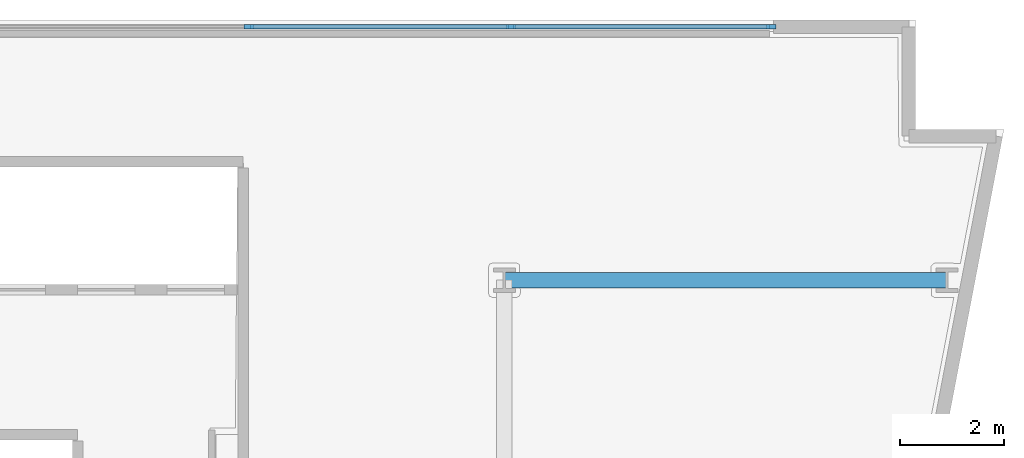
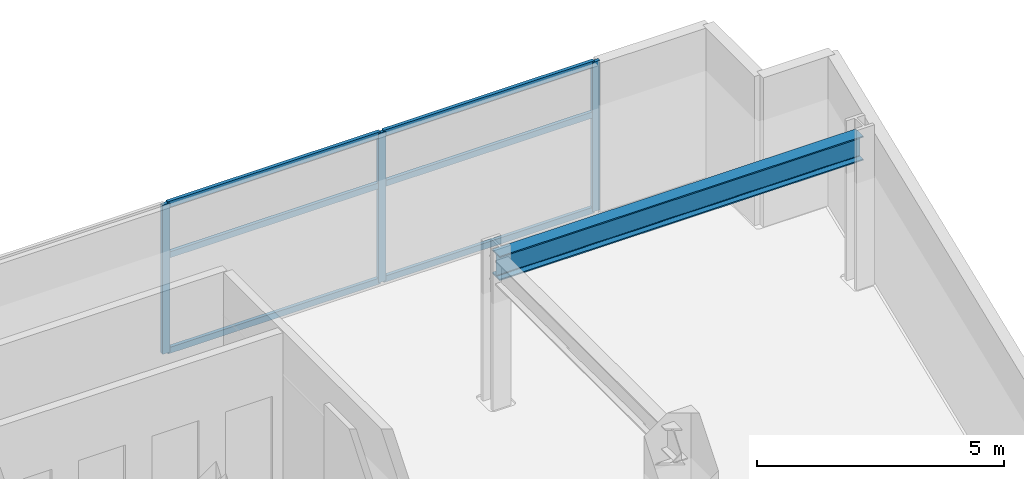
# One storey, part 4 of 13: 9 members, 1 beam, 1 element without a shape of its own.
"""IFC4 building model written with IfcOpenShell, lengths in metres."""

import ifcopenshell
import ifcopenshell.guid

model = None  # the IFC model being written
_history = None  # IfcOwnerHistory: only IFC2X3 demands one
_inside = {}  # id of a spatial element -> (the spatial element, [elements in it])
_under = {}  # id of a project, library or spatial element -> (it, [spatial elements below it])
_declared = {}  # id of a project -> (the project, [libraries it declares])
_typed = {}  # id of a type object -> (the type object, [elements of that type])
_made_of = {}  # id of a material, layer set ... -> (it, [elements and type objects made of it])


def new_model(schema):
    """Start an empty IFC model of exactly this schema.

    Asked for "IFC4X3", IfcOpenShell would pick the latest addendum, in which some entities
    have other attributes; the version numbers below select the first issue.
    IFC2X3 requires an IfcOwnerHistory on every rooted entity: one is made here for all.
    """
    global model, _history
    if schema == "IFC4X3":
        model = ifcopenshell.file(schema_version=(4, 3, 0, 0))
    else:
        model = ifcopenshell.file(schema=schema)
    _inside.clear()
    _under.clear()
    _declared.clear()
    _typed.clear()
    _made_of.clear()
    _history = None
    if model.schema == "IFC2X3":
        org = make("IfcOrganization", Name="unknown")
        user = make(
            "IfcPersonAndOrganization",
            ThePerson=make("IfcPerson", FamilyName="unknown"),
            TheOrganization=org,
        )
        app = make(
            "IfcApplication",
            ApplicationDeveloper=org,
            Version="unknown",
            ApplicationFullName="unknown",
            ApplicationIdentifier="unknown",
        )
        _history = make(
            "IfcOwnerHistory",
            OwningUser=user,
            OwningApplication=app,
            ChangeAction="ADDED",
            CreationDate=0,
        )
    return model


def make(cls, **values):
    """One entity of the class cls with the attributes given. An attribute that is None is left unset."""
    return model.create_entity(
        cls, **{name: value for name, value in values.items() if value is not None}
    )


def rooted(cls, **values):
    """An entity with a GlobalId (a new one), such as an element, a storey or a relation."""
    return make(cls, GlobalId=ifcopenshell.guid.new(), OwnerHistory=_history, **values)


def si_unit(unit_type, name, prefix=None):
    """IfcSIUnit, for example si_unit("LENGTHUNIT", "METRE", prefix="MILLI")."""
    return make("IfcSIUnit", UnitType=unit_type, Prefix=prefix, Name=name)


def assignment(units):
    """IfcUnitAssignment: the units of a project."""
    return None if units is None else make("IfcUnitAssignment", Units=units)


def point(xyz):
    """IfcCartesianPoint."""
    return None if xyz is None else make("IfcCartesianPoint", Coordinates=xyz)


def direction(xyz):
    """IfcDirection."""
    return None if xyz is None else make("IfcDirection", DirectionRatios=xyz)


def frame(location, z_axis=None, x_axis=None):
    """IfcAxis2Placement3D, a coordinate frame: its origin and axes. An axis left out is left unset."""
    return make(
        "IfcAxis2Placement3D",
        Location=point(location),
        Axis=direction(z_axis),
        RefDirection=direction(x_axis),
    )


def frame_2d(location, x_axis=None):
    """IfcAxis2Placement2D, a coordinate frame in the plane: its origin and x axis."""
    return make(
        "IfcAxis2Placement2D", Location=point(location), RefDirection=direction(x_axis)
    )


def origin():
    """The frame at (0, 0, 0) with its axes left unset."""
    return frame((0.0, 0.0, 0.0))


def origin_2d():
    """The frame at (0, 0) in the plane with its x axis left unset."""
    return frame_2d((0.0, 0.0))


def place(relative_to, where):
    """IfcLocalPlacement: puts the frame where relative to a parent placement (None: the world)."""
    return make(
        "IfcLocalPlacement", PlacementRelTo=relative_to, RelativePlacement=where
    )


def context(
    kind, dimensions, precision=None, world=None, true_north=None, identifier=None
):
    """IfcGeometricRepresentationContext, for example the 3D "Model" context."""
    return make(
        "IfcGeometricRepresentationContext",
        ContextIdentifier=identifier,
        ContextType=kind,
        CoordinateSpaceDimension=dimensions,
        Precision=precision,
        WorldCoordinateSystem=world,
        TrueNorth=true_north,
    )


def subcontext(parent, identifier, kind, view, scale=None):
    """IfcGeometricRepresentationSubContext, for example "Body" below "Model"."""
    return make(
        "IfcGeometricRepresentationSubContext",
        ContextIdentifier=identifier,
        ContextType=kind,
        ParentContext=parent,
        TargetScale=scale,
        TargetView=view,
    )


def project(units=None, contexts=None):
    """IfcProject with its units and contexts."""
    return rooted(
        "IfcProject",
        Name="project",
        RepresentationContexts=contexts,
        UnitsInContext=assignment(units),
    )


def spatial(cls, under=None, at=None, **own):
    """A site, building, storey or space (cls), placed at a placement, below another one or the project."""
    s = rooted(cls, ObjectPlacement=at, **own)
    if under is not None:
        _under.setdefault(under.id(), (under, []))[1].append(s)
    return s


def profile(cls, at=None, kind="AREA", **sizes):
    """A parametric profile (cls). Its sizes go by their IFC names, for example OverallWidth=200.0."""
    return make(cls, ProfileType=kind, Position=at, **sizes)


def rectangle(**sizes):
    """IfcRectangleProfileDef."""
    return profile("IfcRectangleProfileDef", **sizes)


def i_section(**sizes):
    """IfcIShapeProfileDef."""
    return profile("IfcIShapeProfileDef", **sizes)


def extrude(swept, where, along, depth):
    """IfcExtrudedAreaSolid: the profile swept, set in the frame where, extruded along a direction by depth."""
    return make(
        "IfcExtrudedAreaSolid",
        SweptArea=swept,
        Position=where,
        ExtrudedDirection=direction(along),
        Depth=depth,
    )


def shape(context_of_items, identifier, shape_type, items):
    """IfcShapeRepresentation: the items that make up one representation, for example the "Body"."""
    return make(
        "IfcShapeRepresentation",
        ContextOfItems=context_of_items,
        RepresentationIdentifier=identifier,
        RepresentationType=shape_type,
        Items=items,
    )


def material(Name=None, Category=None):
    """IfcMaterial."""
    return make("IfcMaterial", Name=Name, Category=Category)


def layer(
    of_material, thickness, ventilated=None, Name=None, Category=None, Priority=None
):
    """IfcMaterialLayer: one layer of a wall or slab, of a material (None: an air gap)."""
    return make(
        "IfcMaterialLayer",
        Material=of_material,
        LayerThickness=thickness,
        IsVentilated=ventilated,
        Name=Name,
        Category=Category,
        Priority=Priority,
    )


def layer_set(layers, Name=None):
    """IfcMaterialLayerSet."""
    return make("IfcMaterialLayerSet", MaterialLayers=layers, LayerSetName=Name)


def material_profile(
    of_material, cross_section, Name=None, Category=None, Priority=None
):
    """IfcMaterialProfile: a cross section and its material."""
    return make(
        "IfcMaterialProfile",
        Name=Name,
        Material=of_material,
        Profile=cross_section,
        Priority=Priority,
        Category=Category,
    )


def profile_set(profiles, Name=None, composite=None):
    """IfcMaterialProfileSet."""
    return make(
        "IfcMaterialProfileSet",
        Name=Name,
        MaterialProfiles=profiles,
        CompositeProfile=composite,
    )


def made_of(thing, what):
    """Note that an element or type object is made of a material, layer set ...; save() writes the relation."""
    if what is not None:
        _made_of.setdefault(what.id(), (what, []))[1].append(thing)
    return thing


def type_object(cls, material=None, **own):
    """A type object (cls), such as IfcWallType, which elements share."""
    return made_of(rooted(cls, **own), material)


def element(
    cls,
    number,
    at=None,
    inside=None,
    cuts=None,
    type_object=None,
    material=None,
    context=None,
    identifier="Body",
    shape_type=None,
    held_by="IfcProductDefinitionShape",
    body=None,
    shapes=None,
    **own,
):
    """One element of the class cls, such as IfcWall. Its Tag is "e" and its number.

    at: its placement. inside: the storey or other place that contains it. cuts: it is an
    opening in that element (IfcRelVoidsElement). A single representation is given by context,
    identifier, shape_type and body (its items); several are given by shapes. held_by: the class
    of the entity that holds the representations. save() writes the other relations.
    """
    e = rooted(cls, Tag="e%d" % number, ObjectPlacement=at, **own)
    if body is not None:
        shapes = [shape(context, identifier, shape_type, body)]
    if shapes is not None:
        e.Representation = make(held_by, Representations=shapes)
    if inside is not None:
        _inside.setdefault(inside.id(), (inside, []))[1].append(e)
    if cuts is not None:
        rooted(
            "IfcRelVoidsElement", RelatingBuildingElement=cuts, RelatedOpeningElement=e
        )
    if type_object is not None:
        _typed.setdefault(type_object.id(), (type_object, []))[1].append(e)
    return made_of(e, material)


def aggregate(whole, parts):
    """IfcRelAggregates: a whole, such as a stair, and the parts it consists of."""
    return rooted("IfcRelAggregates", RelatingObject=whole, RelatedObjects=parts)


def save(model, path):
    """Write the relations noted so far, then the file.

    IfcRelAggregates (storeys below a building ...), IfcRelContainedInSpatialStructure (elements
    in a storey), IfcRelDefinesByType, IfcRelAssociatesMaterial and IfcRelDeclares: one each for
    every whole, place, type object, material and project.
    """
    for whole, parts in _under.values():
        aggregate(whole, parts)
    for where, things in _inside.values():
        rooted(
            "IfcRelContainedInSpatialStructure",
            RelatedElements=things,
            RelatingStructure=where,
        )
    for kind, things in _typed.values():
        rooted("IfcRelDefinesByType", RelatedObjects=things, RelatingType=kind)
    for what, things in _made_of.values():
        rooted("IfcRelAssociatesMaterial", RelatedObjects=things, RelatingMaterial=what)
    for by, libraries in _declared.values():
        rooted("IfcRelDeclares", RelatingContext=by, RelatedDefinitions=libraries)
    model.write(path)


model = new_model("IFC4")

# Units and contexts
model_context = context("Model", 3, precision=1e-05, world=origin(), true_north=direction((0.0, 1.0)))
body_context = subcontext(model_context, "Body", "Model", "MODEL_VIEW")
ifc_project = project(units=[si_unit("LENGTHUNIT", "METRE"), si_unit("AREAUNIT", "SQUARE_METRE"), si_unit("VOLUMEUNIT", "CUBIC_METRE"), si_unit("PLANEANGLEUNIT", "RADIAN"), si_unit("MASSUNIT", "GRAM", prefix="KILO")], contexts=[model_context])

# Site, building, storey
site_placement = place(None, origin())
site = spatial("IfcSite", under=ifc_project, at=site_placement, CompositionType="ELEMENT")
building_placement = place(site_placement, origin())
building = spatial("IfcBuilding", under=site, at=building_placement, Name="Caeloran Harvest Quay", CompositionType="ELEMENT")
storey_placement = place(building_placement, frame((0.0, 0.0, 170.64990234375)))
storey = spatial("IfcBuildingStorey", under=building, at=storey_placement, Name="L40", CompositionType="ELEMENT", Elevation=170.64990234375)

# Beam
ifc_material_1 = material(Name="Steel S355J2", Category="steel")
ifc_material_profile_1 = material_profile(ifc_material_1, i_section(OverallWidth=0.300048828125, OverallDepth=0.60009765625, WebThickness=0.015380859375, FlangeThickness=0.030029296875, FilletRadius=0.027099609375, at=origin_2d()), Name="HE 600 B")
ifc_profile_set_1 = profile_set([ifc_material_profile_1], Name="Steel S355J2")
beam_type = type_object("IfcBeamType", Name="BM-PG-3-HE_600_B", PredefinedType="BEAM", material=ifc_profile_set_1)
beam_placement = place(storey_placement, frame((42.5, 38.5, 3.39013671875), z_axis=(1.0, 0.0, 0.0), x_axis=(0.0, 1.0, 0.0)))
element("IfcBeam", 1, at=beam_placement, inside=storey, type_object=beam_type, Name="L40 Primary East-West Girder Y=38.5", PredefinedType="BEAM", context=body_context, shape_type="SweptSolid", body=[
    extrude(i_section(OverallWidth=0.300048828125, OverallDepth=0.60009765625, WebThickness=0.015380859375, FlangeThickness=0.030029296875, FilletRadius=0.027099609375, at=origin_2d()), origin(), (0.0, 0.0, 1.0), 8.5),
])

# Curtain wall, members
ifc_material_2 = material(Name="Aluminium 6063-T6 and Low-E Glazing", Category="aluminium")
ifc_layer = layer(ifc_material_2, 0.22998046875, Name="Aluminium 6063-T6 and Low-E Glazing")
ifc_layer_set = layer_set([ifc_layer], Name="Aluminium 6063-T6 and Low-E Glazing")
curtain_wall_type = type_object("IfcCurtainWallType", Name="CW-SYS-CW-6", PredefinedType="USERDEFINED", material=ifc_layer_set)
curtain_wall_placement = place(storey_placement, origin())
curtain_wall = element("IfcCurtainWall", 2, at=curtain_wall_placement, inside=storey, type_object=curtain_wall_type, Name="L40 Unitised Curtain Wall CW-6 Run 6", ObjectType="CURTAIN_WALL", PredefinedType="USERDEFINED")
ifc_material_3 = material(Name="Aluminium 6063-T6", Category="aluminium")
ifc_material_profile_2 = material_profile(ifc_material_3, rectangle(XDim=0.080078125, YDim=0.179931640625, at=origin_2d()), Name="CW-MULLION-180")
ifc_profile_set_2 = profile_set([ifc_material_profile_2], Name="Aluminium 6063-T6")
member_type_1 = type_object("IfcMemberType", Name="CW-MULLION-180", PredefinedType="MULLION", material=ifc_profile_set_2)
member_1_placement = place(storey_placement, frame((37.5849609375, 43.3701171875, 0.0), z_axis=(0.0, 0.0, 1.0), x_axis=(0.0, 1.0, 0.0)))
member_1 = element("IfcMember", 3, at=member_1_placement, type_object=member_type_1, Name="CW-6 mullion 7", PredefinedType="MULLION", context=body_context, shape_type="SweptSolid", body=[
    extrude(rectangle(XDim=0.080078125, YDim=0.179931640625, at=origin_2d()), origin(), (0.0, 0.0, 1.0), 3.690185546875),
])
member_2_placement = place(storey_placement, frame((42.62744140625, 43.3701171875, 0.0), z_axis=(0.0, 0.0, 1.0), x_axis=(0.0, 1.0, 0.0)))
member_2 = element("IfcMember", 4, at=member_2_placement, type_object=member_type_1, Name="CW-6 mullion 8", PredefinedType="MULLION", context=body_context, shape_type="SweptSolid", body=[
    extrude(rectangle(XDim=0.080078125, YDim=0.179931640625, at=origin_2d()), origin(), (0.0, 0.0, 1.0), 3.690185546875),
])
member_3_placement = place(storey_placement, frame((47.6298828125, 43.3701171875, 0.0), z_axis=(0.0, 0.0, 1.0), x_axis=(0.0, 1.0, 0.0)))
member_3 = element("IfcMember", 5, at=member_3_placement, type_object=member_type_1, Name="CW-6 mullion 9", PredefinedType="MULLION", context=body_context, shape_type="SweptSolid", body=[
    extrude(rectangle(XDim=0.080078125, YDim=0.179931640625, at=origin_2d()), origin(), (0.0, 0.0, 1.0), 3.690185546875),
])
ifc_material_profile_3 = material_profile(ifc_material_3, rectangle(XDim=0.080078125, YDim=0.14990234375, at=origin_2d()), Name="CW-TRANSOM-150")
ifc_profile_set_3 = profile_set([ifc_material_profile_3], Name="Aluminium 6063-T6")
member_type_2 = type_object("IfcMemberType", Name="CW-TRANSOM-150", PredefinedType="USERDEFINED", material=ifc_profile_set_3)
member_4_placement = place(storey_placement, frame((37.625, 43.3701171875, 0.0400390625), z_axis=(1.0, 0.0, 0.0), x_axis=(0.0, 1.0, 0.0)))
member_4 = element("IfcMember", 6, at=member_4_placement, type_object=member_type_2, Name="CW-6 transom 7.1", ObjectType="TRANSOM", PredefinedType="USERDEFINED", context=body_context, shape_type="SweptSolid", body=[
    extrude(rectangle(XDim=0.080078125, YDim=0.14990234375, at=origin_2d()), origin(), (0.0, 0.0, 1.0), 4.96240234375),
])
member_5_placement = place(storey_placement, frame((37.625, 43.3701171875, 2.400146484375), z_axis=(1.0, 0.0, 0.0), x_axis=(0.0, 1.0, 0.0)))
member_5 = element("IfcMember", 7, at=member_5_placement, type_object=member_type_2, Name="CW-6 transom 7.2", ObjectType="TRANSOM", PredefinedType="USERDEFINED", context=body_context, shape_type="SweptSolid", body=[
    extrude(rectangle(XDim=0.080078125, YDim=0.14990234375, at=origin_2d()), origin(), (0.0, 0.0, 1.0), 4.96240234375),
])
member_6_placement = place(storey_placement, frame((37.625, 43.3701171875, 3.650146484375), z_axis=(1.0, 0.0, 0.0), x_axis=(0.0, 1.0, 0.0)))
member_6 = element("IfcMember", 8, at=member_6_placement, type_object=member_type_2, Name="CW-6 transom 7.3", ObjectType="TRANSOM", PredefinedType="USERDEFINED", context=body_context, shape_type="SweptSolid", body=[
    extrude(rectangle(XDim=0.080078125, YDim=0.14990234375, at=origin_2d()), origin(), (0.0, 0.0, 1.0), 4.96240234375),
])
member_7_placement = place(storey_placement, frame((42.66748046875, 43.3701171875, 0.0400390625), z_axis=(1.0, 0.0, 0.0), x_axis=(0.0, 1.0, 0.0)))
member_7 = element("IfcMember", 9, at=member_7_placement, type_object=member_type_2, Name="CW-6 transom 8.1", ObjectType="TRANSOM", PredefinedType="USERDEFINED", context=body_context, shape_type="SweptSolid", body=[
    extrude(rectangle(XDim=0.080078125, YDim=0.14990234375, at=origin_2d()), origin(), (0.0, 0.0, 1.0), 4.922607421875),
])
member_8_placement = place(storey_placement, frame((42.66748046875, 43.3701171875, 2.400146484375), z_axis=(1.0, 0.0, 0.0), x_axis=(0.0, 1.0, 0.0)))
member_8 = element("IfcMember", 10, at=member_8_placement, type_object=member_type_2, Name="CW-6 transom 8.2", ObjectType="TRANSOM", PredefinedType="USERDEFINED", context=body_context, shape_type="SweptSolid", body=[
    extrude(rectangle(XDim=0.080078125, YDim=0.14990234375, at=origin_2d()), origin(), (0.0, 0.0, 1.0), 4.922607421875),
])
member_9_placement = place(storey_placement, frame((42.66748046875, 43.3701171875, 3.650146484375), z_axis=(1.0, 0.0, 0.0), x_axis=(0.0, 1.0, 0.0)))
member_9 = element("IfcMember", 11, at=member_9_placement, type_object=member_type_2, Name="CW-6 transom 8.3", ObjectType="TRANSOM", PredefinedType="USERDEFINED", context=body_context, shape_type="SweptSolid", body=[
    extrude(rectangle(XDim=0.080078125, YDim=0.14990234375, at=origin_2d()), origin(), (0.0, 0.0, 1.0), 4.922607421875),
])
aggregate(curtain_wall, [member_1, member_2, member_3, member_4, member_5, member_6, member_7, member_8, member_9])

save(model, "model.ifc")
